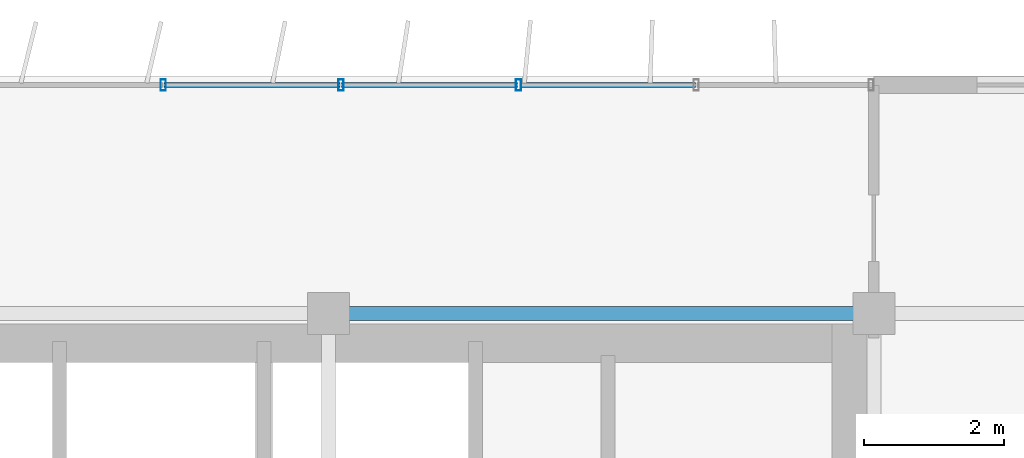
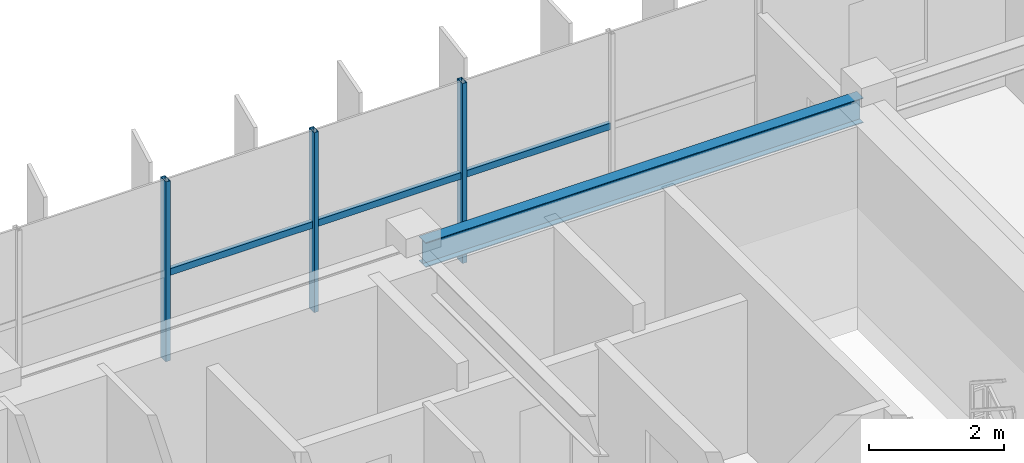
# One storey, part 16 of 28: 6 members, 1 beam, 1 element without a shape of its own.
"""IFC4 building model written with IfcOpenShell, lengths in metres."""

from ifc_helpers import new_model, si_unit, direction, frame, origin, origin_2d, place, context, subcontext, project, spatial, hollow_rectangle, i_section, extrude, source, transform, mapped, material, material_profile, profile_set, type_object, element, aggregate, save


model = new_model("IFC4")

# Units and contexts
model_context = context("Model", 3, precision=1e-05, world=origin(), true_north=direction((0.0, 1.0)))
body_context = subcontext(model_context, "Body", "Model", "MODEL_VIEW")
ifc_project = project(units=[si_unit("LENGTHUNIT", "METRE"), si_unit("AREAUNIT", "SQUARE_METRE"), si_unit("VOLUMEUNIT", "CUBIC_METRE"), si_unit("PLANEANGLEUNIT", "RADIAN"), si_unit("MASSUNIT", "GRAM", prefix="KILO")], contexts=[model_context])

# Site, building, storey
site_placement = place(None, origin())
site = spatial("IfcSite", under=ifc_project, at=site_placement, CompositionType="ELEMENT")
building_placement = place(site_placement, origin())
building = spatial("IfcBuilding", under=site, at=building_placement, Name="Trelvane Seafront Commons", CompositionType="ELEMENT")
storey_placement = place(building_placement, frame((0.0, 0.0, 295.5)))
storey = spatial("IfcBuildingStorey", under=building, at=storey_placement, Name="L77", CompositionType="ELEMENT", Elevation=295.5)

# Beam
ifc_material_1 = material(Name="Steel SM355 (S355)", Category="steel")
ifc_material_profile_1 = material_profile(ifc_material_1, i_section(OverallWidth=0.199951171875, OverallDepth=0.449951171875, WebThickness=0.009033203125, FlangeThickness=0.013916015625, at=origin_2d()), Name="H-450x200x9x14")
ifc_profile_set_1 = profile_set([ifc_material_profile_1], Name="Steel SM355 (S355)")
beam_type = type_object("IfcBeamType", Name="STR-SPD-H450", PredefinedType="SPANDREL", material=ifc_profile_set_1)
shared_shape_1 = source(origin(), body_context, "Body", "SweptSolid", [
    extrude(i_section(OverallWidth=0.199951171875, OverallDepth=0.449951171875, WebThickness=0.009033203125, FlangeThickness=0.013916015625, at=origin_2d()), origin(), (0.0, 0.0, 1.0), 7.5),
])
beam_placement = place(storey_placement, frame((51.14990234375, 45.10009765625, 3.034912109375), z_axis=(1.0, 0.0, 0.0), x_axis=(0.0, 1.0, 0.0)))
element("IfcBeam", 1, at=beam_placement, inside=storey, type_object=beam_type, Name="L77 Primary Girder G-27", PredefinedType="SPANDREL", context=body_context, shape_type="MappedRepresentation", body=[
    mapped(shared_shape_1, transform((0.0, 0.0, 0.0), x_axis=(1.0, 0.0, 0.0), y_axis=(0.0, 1.0, 0.0), z_axis=(0.0, 0.0, 1.0), scale=1.0)),
])

# Curtain wall, members
ifc_material_2 = material(Name="Anodised pale-silver aluminium", Category="aluminium")
curtain_wall_type = type_object("IfcCurtainWallType", Name="ARCH-CW5-UPTOWER", PredefinedType="NOTDEFINED", material=ifc_material_2)
curtain_wall_placement = place(storey_placement, origin())
curtain_wall = element("IfcCurtainWall", 2, at=curtain_wall_placement, inside=storey, type_object=curtain_wall_type, Name="CW-L77-0122", PredefinedType="NOTDEFINED")
ifc_material_profile_2 = material_profile(ifc_material_2, hollow_rectangle(XDim=0.070068359375, YDim=0.1201171875, WallThickness=0.00390625, at=origin_2d()), Name="TRAN-70x120x4")
ifc_profile_set_2 = profile_set([ifc_material_profile_2], Name="Anodised pale-silver aluminium")
member_type_1 = type_object("IfcMemberType", Name="ARCH-CW-TRAN-120", PredefinedType="USERDEFINED", material=ifc_profile_set_2)
shared_shape_2 = source(origin(), body_context, "Body", "SweptSolid", [
    extrude(hollow_rectangle(XDim=0.070068359375, YDim=0.1201171875, WallThickness=0.00390625, at=origin_2d()), origin(), (0.0, 0.0, 1.0), 2.51708984375),
])
member_1_placement = place(storey_placement, frame((51.1884765625, 48.3701171875, 1.56494140625), z_axis=(1.0, 0.0, 0.0), x_axis=(0.0, 1.0, 0.0)))
member_1 = element("IfcMember", 3, at=member_1_placement, type_object=member_type_1, Name="CW-L77-0122-T14", ObjectType="TRANSOM", PredefinedType="USERDEFINED", context=body_context, shape_type="MappedRepresentation", body=[
    mapped(shared_shape_2, transform((0.0, 0.0, 0.0), x_axis=(1.0, 0.0, 0.0), y_axis=(0.0, 1.0, 0.0), z_axis=(0.0, 0.0, 1.0), scale=1.0)),
])
shared_shape_3 = source(origin(), body_context, "Body", "SweptSolid", [
    extrude(hollow_rectangle(XDim=0.070068359375, YDim=0.1201171875, WallThickness=0.00390625, at=origin_2d()), origin(), (0.0, 0.0, 1.0), 2.517333984375),
])
member_2_placement = place(storey_placement, frame((48.647216796875, 48.3701171875, 1.56494140625), z_axis=(1.0, 0.0, 0.0), x_axis=(0.0, 1.0, 0.0)))
member_2 = element("IfcMember", 4, at=member_2_placement, type_object=member_type_1, Name="CW-L77-0122-T13", ObjectType="TRANSOM", PredefinedType="USERDEFINED", context=body_context, shape_type="MappedRepresentation", body=[
    mapped(shared_shape_3, transform((0.0, 0.0, 0.0), x_axis=(1.0, 0.0, 0.0), y_axis=(0.0, 1.0, 0.0), z_axis=(0.0, 0.0, 1.0), scale=1.0)),
])
member_3_placement = place(storey_placement, frame((53.7294921875, 48.3701171875, 1.56494140625), z_axis=(1.0, 0.0, 0.0), x_axis=(0.0, 1.0, 0.0)))
member_3 = element("IfcMember", 5, at=member_3_placement, type_object=member_type_1, Name="CW-L77-0122-T15", ObjectType="TRANSOM", PredefinedType="USERDEFINED", context=body_context, shape_type="MappedRepresentation", body=[
    mapped(shared_shape_3, transform((0.0, 0.0, 0.0), x_axis=(1.0, 0.0, 0.0), y_axis=(0.0, 1.0, 0.0), z_axis=(0.0, 0.0, 1.0), scale=1.0)),
])
ifc_material_profile_3 = material_profile(ifc_material_2, hollow_rectangle(XDim=0.074951171875, YDim=0.159912109375, WallThickness=0.00390625, at=origin_2d()), Name="MULL-75x160x4")
ifc_profile_set_3 = profile_set([ifc_material_profile_3], Name="Anodised pale-silver aluminium")
member_type_2 = type_object("IfcMemberType", Name="ARCH-CW-MULL-160", PredefinedType="MULLION", material=ifc_profile_set_3)
shared_shape_4 = source(origin(), body_context, "Body", "SweptSolid", [
    extrude(hollow_rectangle(XDim=0.074951171875, YDim=0.159912109375, WallThickness=0.00390625, at=origin_2d()), origin(), (0.0, 0.0, 1.0), 3.260009765625),
])
member_4_placement = place(storey_placement, frame((48.63525390625, 48.3701171875, 0.0), z_axis=(0.0, 0.0, 1.0), x_axis=(1.0, 0.0, 0.0)))
member_4 = element("IfcMember", 6, at=member_4_placement, type_object=member_type_2, Name="CW-L77-0122-M13", PredefinedType="MULLION", context=body_context, shape_type="MappedRepresentation", body=[
    mapped(shared_shape_4, transform((0.0, 0.0, 0.0), x_axis=(1.0, 0.0, 0.0), y_axis=(0.0, 1.0, 0.0), z_axis=(0.0, 0.0, 1.0), scale=1.0)),
])
member_5_placement = place(storey_placement, frame((51.176513671875, 48.3701171875, 0.0), z_axis=(0.0, 0.0, 1.0), x_axis=(1.0, 0.0, 0.0)))
member_5 = element("IfcMember", 7, at=member_5_placement, type_object=member_type_2, Name="CW-L77-0122-M14", PredefinedType="MULLION", context=body_context, shape_type="MappedRepresentation", body=[
    mapped(shared_shape_4, transform((0.0, 0.0, 0.0), x_axis=(1.0, 0.0, 0.0), y_axis=(0.0, 1.0, 0.0), z_axis=(0.0, 0.0, 1.0), scale=1.0)),
])
member_6_placement = place(storey_placement, frame((53.717529296875, 48.3701171875, 0.0), z_axis=(0.0, 0.0, 1.0), x_axis=(1.0, 0.0, 0.0)))
member_6 = element("IfcMember", 8, at=member_6_placement, type_object=member_type_2, Name="CW-L77-0122-M15", PredefinedType="MULLION", context=body_context, shape_type="MappedRepresentation", body=[
    mapped(shared_shape_4, transform((0.0, 0.0, 0.0), x_axis=(1.0, 0.0, 0.0), y_axis=(0.0, 1.0, 0.0), z_axis=(0.0, 0.0, 1.0), scale=1.0)),
])
aggregate(curtain_wall, [member_4, member_5, member_6, member_2, member_1, member_3])

save(model, "model.ifc")
